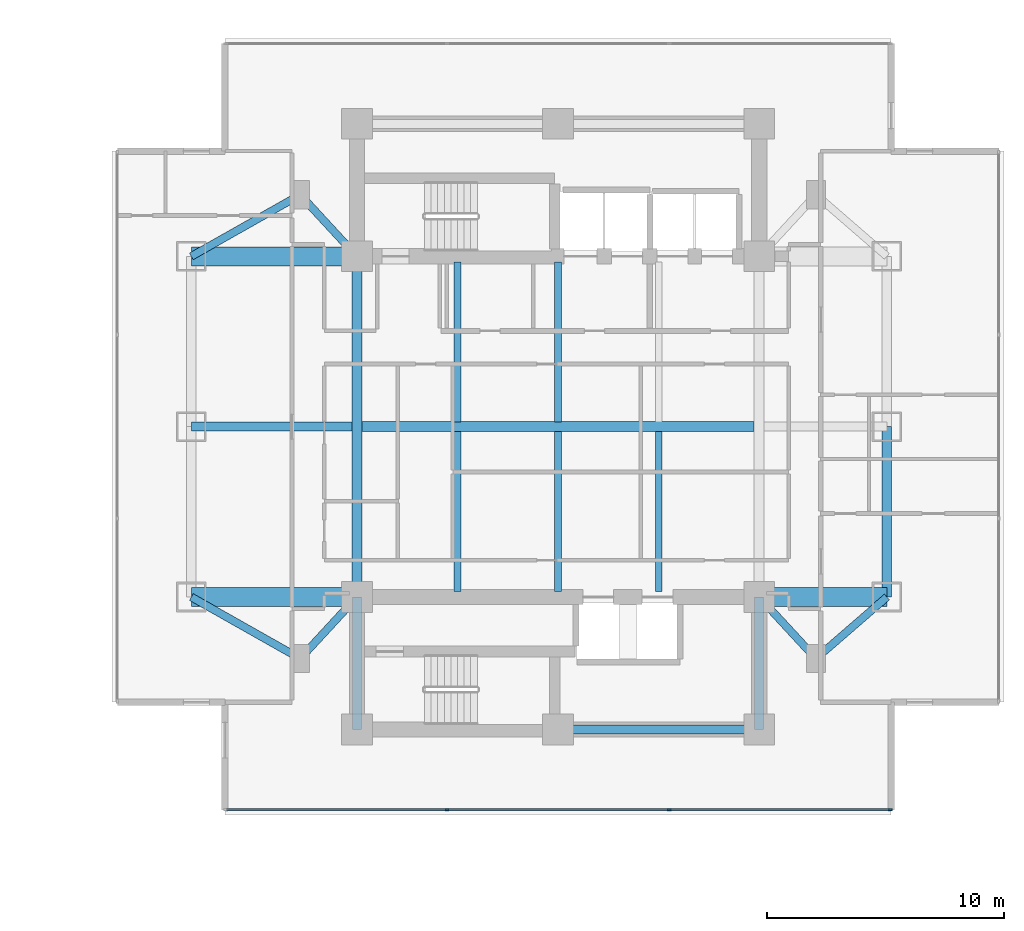
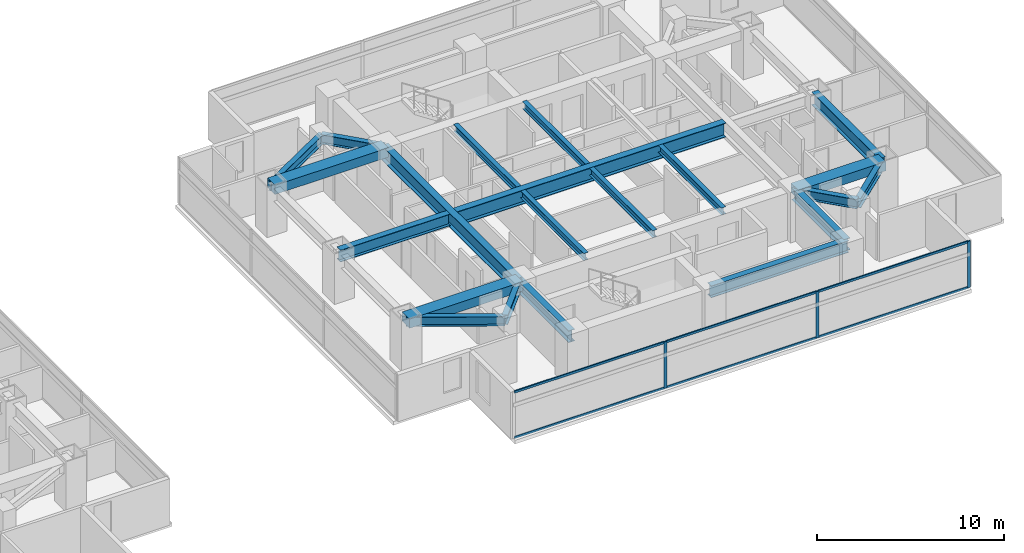
# One storey, part 9 of 24: 21 beams, 9 members, 1 element without a shape of its own.
"""IFC4 building model written with IfcOpenShell, lengths in metres."""

from ifc_helpers import new_model, si_unit, direction, frame, origin, origin_2d, place, context, subcontext, project, spatial, rectangle, i_section, extrude, material, material_profile, profile_set, type_object, element, aggregate, save


model = new_model("IFC4")

# Units and contexts
model_context = context("Model", 3, precision=1e-05, world=origin(), true_north=direction((0.0, 1.0)))
body_context = subcontext(model_context, "Body", "Model", "MODEL_VIEW")
ifc_project = project(units=[si_unit("LENGTHUNIT", "METRE"), si_unit("AREAUNIT", "SQUARE_METRE"), si_unit("VOLUMEUNIT", "CUBIC_METRE"), si_unit("PLANEANGLEUNIT", "RADIAN"), si_unit("MASSUNIT", "GRAM", prefix="KILO")], contexts=[model_context])

# Site, building, storey
site_placement = place(None, origin())
site = spatial("IfcSite", under=ifc_project, at=site_placement, CompositionType="ELEMENT")
building_placement = place(site_placement, origin())
building = spatial("IfcBuilding", under=site, at=building_placement, Name="Mirazonda Arch Towers", CompositionType="ELEMENT")
storey_placement = place(building_placement, frame((0.0, 0.0, 68.60009765625)))
storey = spatial("IfcBuildingStorey", under=building, at=storey_placement, Name="L19", CompositionType="ELEMENT", Elevation=68.60009765625)

# Beams
ifc_material_1 = material(Name="Steel ASTM A992 Grade 50", Category="steel")
ifc_material_profile_1 = material_profile(ifc_material_1, i_section(OverallWidth=0.39990234375, OverallDepth=0.85595703125, WebThickness=0.018310546875, FlangeThickness=0.029296875, at=origin_2d()), Name="W33X201")
ifc_profile_set_1 = profile_set([ifc_material_profile_1], Name="Steel ASTM A992 Grade 50")
beam_type_1 = type_object("IfcBeamType", Name="BM-EXT-W33X201", PredefinedType="USERDEFINED", material=ifc_profile_set_1)
beam_1_placement = place(storey_placement, frame((90.39990234375, 20.800048828125, 2.6318359375), z_axis=(0.0, 1.0, 0.0), x_axis=(-1.0, 0.0, 0.0)))
element("IfcBeam", 1, at=beam_1_placement, inside=storey, type_object=beam_type_1, Name="L19 Floor Beam BM-T2-L19-NS-E-20", ObjectType="GIRDER", PredefinedType="USERDEFINED", context=body_context, shape_type="SweptSolid", body=[
    extrude(i_section(OverallWidth=0.39990234375, OverallDepth=0.85595703125, WebThickness=0.018310546875, FlangeThickness=0.029296875, at=origin_2d()), origin(), (0.0, 0.0, 1.0), 7.199951171875),
])
ifc_material_profile_2 = material_profile(ifc_material_1, i_section(OverallWidth=0.280029296875, OverallDepth=0.462890625, WebThickness=0.0107421875, FlangeThickness=0.017333984375, at=origin_2d()), Name="W18X76")
ifc_profile_set_2 = profile_set([ifc_material_profile_2], Name="Steel ASTM A992 Grade 50")
beam_type_2 = type_object("IfcBeamType", Name="BM-INT-W18X76", PredefinedType="JOIST", material=ifc_profile_set_2)
for number, where, z_axis, x_axis, name in (
    (2, (72.25, 21.0400390625, 2.828369140625), (0.0, 1.0, 0.0), (-1.0, 0.0, 0.0), "L19 Floor Beam BM-T2-L19-J-722-20"),
    (3, (72.25, 28.205078125, 2.828369140625), (0.0, 1.0, 0.0), (-1.0, 0.0, 0.0), "L19 Floor Beam BM-T2-L19-J-722-28"),
    (4, (76.5, 21.0400390625, 2.828369140625), (0.0, 1.0, 0.0), (-1.0, 0.0, 0.0), "L19 Floor Beam BM-T2-L19-J-765-20"),
    (5, (76.5, 28.205078125, 2.828369140625), (0.0, 1.0, 0.0), (-1.0, 0.0, 0.0), "L19 Floor Beam BM-T2-L19-J-765-28"),
    (6, (80.75, 21.0400390625, 2.828369140625), (0.0, 1.0, 0.0), (-1.0, 0.0, 0.0), "L19 Floor Beam BM-T2-L19-J-807-20"),
):
    element("IfcBeam", number, at=place(storey_placement, frame(where, z_axis=z_axis, x_axis=x_axis)), inside=storey, type_object=beam_type_2, Name=name, PredefinedType="JOIST", context=body_context, shape_type="SweptSolid", body=[
        extrude(i_section(OverallWidth=0.280029296875, OverallDepth=0.462890625, WebThickness=0.0107421875, FlangeThickness=0.017333984375, at=origin_2d()), origin(), (0.0, 0.0, 1.0), 6.7548828125),
    ])
ifc_material_profile_3 = material_profile(ifc_material_1, i_section(OverallWidth=0.324951171875, OverallDepth=0.615966796875, WebThickness=0.013916015625, FlangeThickness=0.021484375, at=origin_2d()), Name="W24X117")
ifc_profile_set_3 = profile_set([ifc_material_profile_3], Name="Steel ASTM A992 Grade 50")
beam_type_3 = type_object("IfcBeamType", Name="BM-INT-W24X117", PredefinedType="BEAM", material=ifc_profile_set_3)
beam_2_placement = place(storey_placement, frame((65.60009765625, 18.199951171875, 2.751953125), z_axis=(0.678251444854, 0.734829897019, 0.0), x_axis=(-0.734829897019, 0.678251444854, 0.0)))
element("IfcBeam", 7, at=beam_2_placement, inside=storey, type_object=beam_type_3, Name="L19 Floor Beam BM-T2-L19-PL-SW1", PredefinedType="BEAM", context=body_context, shape_type="SweptSolid", body=[
    extrude(i_section(OverallWidth=0.324951171875, OverallDepth=0.615966796875, WebThickness=0.013916015625, FlangeThickness=0.021484375, at=origin_2d()), origin(), (0.0, 0.0, 1.0), 3.538330078125),
])
beam_3_placement = place(storey_placement, frame((65.60009765625, 18.199951171875, 2.751953125), z_axis=(-0.870559396632, 0.492063346467, 0.0), x_axis=(-0.492063346467, -0.870559396632, 0.0)))
element("IfcBeam", 8, at=beam_3_placement, inside=storey, type_object=beam_type_3, Name="L19 Floor Beam BM-T2-L19-PL-SW2", PredefinedType="BEAM", context=body_context, shape_type="SweptSolid", body=[
    extrude(i_section(OverallWidth=0.324951171875, OverallDepth=0.615966796875, WebThickness=0.013916015625, FlangeThickness=0.021484375, at=origin_2d()), origin(), (0.0, 0.0, 1.0), 5.2841796875),
])
beam_4_placement = place(storey_placement, frame((87.39990234375, 18.199951171875, 2.751953125), z_axis=(-0.678251444854, 0.734829897019, 0.0), x_axis=(-0.734829897019, -0.678251444854, 0.0)))
element("IfcBeam", 9, at=beam_4_placement, inside=storey, type_object=beam_type_3, Name="L19 Floor Beam BM-T2-L19-PL-SE1", PredefinedType="BEAM", context=body_context, shape_type="SweptSolid", body=[
    extrude(i_section(OverallWidth=0.324951171875, OverallDepth=0.615966796875, WebThickness=0.013916015625, FlangeThickness=0.021484375, at=origin_2d()), origin(), (0.0, 0.0, 1.0), 3.538330078125),
])
beam_5_placement = place(storey_placement, frame((87.39990234375, 18.199951171875, 2.751953125), z_axis=(0.755676908098, 0.654944585876, 0.0), x_axis=(-0.654944585876, 0.755676908098, 0.0)))
element("IfcBeam", 10, at=beam_5_placement, inside=storey, type_object=beam_type_3, Name="L19 Floor Beam BM-T2-L19-PL-SE2", PredefinedType="BEAM", context=body_context, shape_type="SweptSolid", body=[
    extrude(i_section(OverallWidth=0.324951171875, OverallDepth=0.615966796875, WebThickness=0.013916015625, FlangeThickness=0.021484375, at=origin_2d()), origin(), (0.0, 0.0, 1.0), 3.969970703125),
])
beam_6_placement = place(storey_placement, frame((65.60009765625, 37.800048828125, 2.751953125), z_axis=(0.678251444854, -0.734829897019, 0.0), x_axis=(0.734829897019, 0.678251444854, 0.0)))
element("IfcBeam", 11, at=beam_6_placement, inside=storey, type_object=beam_type_3, Name="L19 Floor Beam BM-T2-L19-PL-NW1", PredefinedType="BEAM", context=body_context, shape_type="SweptSolid", body=[
    extrude(i_section(OverallWidth=0.324951171875, OverallDepth=0.615966796875, WebThickness=0.013916015625, FlangeThickness=0.021484375, at=origin_2d()), origin(), (0.0, 0.0, 1.0), 3.538330078125),
])
beam_7_placement = place(storey_placement, frame((65.60009765625, 37.800048828125, 2.751953125), z_axis=(-0.870559396632, -0.492063346467, 0.0), x_axis=(0.492063346467, -0.870559396632, 0.0)))
element("IfcBeam", 12, at=beam_7_placement, inside=storey, type_object=beam_type_3, Name="L19 Floor Beam BM-T2-L19-PL-NW2", PredefinedType="BEAM", context=body_context, shape_type="SweptSolid", body=[
    extrude(i_section(OverallWidth=0.324951171875, OverallDepth=0.615966796875, WebThickness=0.013916015625, FlangeThickness=0.021484375, at=origin_2d()), origin(), (0.0, 0.0, 1.0), 5.2841796875),
])
ifc_material_profile_4 = material_profile(ifc_material_1, i_section(OverallWidth=0.381103515625, OverallDepth=0.77294921875, WebThickness=0.0166015625, FlangeThickness=0.027099609375, at=origin_2d()), Name="W30X173")
ifc_profile_set_4 = profile_set([ifc_material_profile_4], Name="Steel ASTM A992 Grade 50")
beam_type_4 = type_object("IfcBeamType", Name="BM-INT-W30X173", PredefinedType="USERDEFINED", material=ifc_profile_set_4)
beam_8_placement = place(storey_placement, frame((76.5, 15.199951171875, 2.67333984375), z_axis=(1.0, 0.0, 0.0), x_axis=(0.0, 1.0, 0.0)))
element("IfcBeam", 13, at=beam_8_placement, inside=storey, type_object=beam_type_4, Name="L19 Floor Beam BM-T2-L19-CS2", ObjectType="GIRDER", PredefinedType="USERDEFINED", context=body_context, shape_type="SweptSolid", body=[
    extrude(i_section(OverallWidth=0.381103515625, OverallDepth=0.77294921875, WebThickness=0.0166015625, FlangeThickness=0.027099609375, at=origin_2d()), origin(), (0.0, 0.0, 1.0), 8.5),
])
for number, where, z_axis, x_axis, name in (
    (14, (68.0, 15.199951171875, 2.67333984375), (0.0, 1.0, 0.0), (-1.0, 0.0, 0.0), "L19 Floor Beam BM-T2-L19-CSW"),
    (15, (85.0, 15.199951171875, 2.67333984375), (0.0, 1.0, 0.0), (-1.0, 0.0, 0.0), "L19 Floor Beam BM-T2-L19-CSE"),
):
    element("IfcBeam", number, at=place(storey_placement, frame(where, z_axis=z_axis, x_axis=x_axis)), inside=storey, type_object=beam_type_4, Name=name, ObjectType="GIRDER", PredefinedType="USERDEFINED", context=body_context, shape_type="SweptSolid", body=[
        extrude(i_section(OverallWidth=0.381103515625, OverallDepth=0.77294921875, WebThickness=0.0166015625, FlangeThickness=0.027099609375, at=origin_2d()), origin(), (0.0, 0.0, 1.0), 5.60009765625),
    ])
beam_9_placement = place(storey_placement, frame((61.0, 28.0, 2.67333984375), z_axis=(1.0, 0.0, 0.0), x_axis=(0.0, 1.0, 0.0)))
element("IfcBeam", 16, at=beam_9_placement, inside=storey, type_object=beam_type_4, Name="L19 Floor Beam BM-T2-L19-GW2", ObjectType="GIRDER", PredefinedType="USERDEFINED", context=body_context, shape_type="SweptSolid", body=[
    extrude(i_section(OverallWidth=0.381103515625, OverallDepth=0.77294921875, WebThickness=0.0166015625, FlangeThickness=0.027099609375, at=origin_2d()), origin(), (0.0, 0.0, 1.0), 6.791015625),
])
ifc_material_profile_5 = material_profile(ifc_material_1, i_section(OverallWidth=0.41796875, OverallDepth=0.927001953125, WebThickness=0.019287109375, FlangeThickness=0.031982421875, at=origin_2d()), Name="W36X231")
ifc_profile_set_5 = profile_set([ifc_material_profile_5], Name="Steel ASTM A992 Grade 50")
beam_type_5 = type_object("IfcBeamType", Name="BM-INT-W36X231", PredefinedType="USERDEFINED", material=ifc_profile_set_5)
beam_10_placement = place(storey_placement, frame((68.208984375, 28.0, 2.596435546875), z_axis=(1.0, 0.0, 0.0), x_axis=(0.0, 1.0, 0.0)))
element("IfcBeam", 17, at=beam_10_placement, inside=storey, type_object=beam_type_5, Name="L19 Floor Beam BM-T2-L19-GC2", ObjectType="GIRDER", PredefinedType="USERDEFINED", context=body_context, shape_type="SweptSolid", body=[
    extrude(i_section(OverallWidth=0.41796875, OverallDepth=0.927001953125, WebThickness=0.019287109375, FlangeThickness=0.031982421875, at=origin_2d()), origin(), (0.0, 0.0, 1.0), 16.58203125),
])
beam_11_placement = place(storey_placement, frame((68.0, 20.800048828125, 2.596435546875), z_axis=(0.0, 1.0, 0.0), x_axis=(-1.0, 0.0, 0.0)))
element("IfcBeam", 18, at=beam_11_placement, inside=storey, type_object=beam_type_5, Name="L19 Floor Beam BM-T2-L19-NS-CW-FULL", ObjectType="GIRDER", PredefinedType="USERDEFINED", context=body_context, shape_type="SweptSolid", body=[
    extrude(i_section(OverallWidth=0.41796875, OverallDepth=0.927001953125, WebThickness=0.019287109375, FlangeThickness=0.031982421875, at=origin_2d()), origin(), (0.0, 0.0, 1.0), 14.39990234375),
])
ifc_material_2 = material(Name="Concrete C60/75", Category="concrete")
ifc_material_profile_6 = material_profile(ifc_material_2, rectangle(XDim=0.800048828125, YDim=0.60009765625, at=origin_2d()), Name="RCCB800x600")
ifc_profile_set_6 = profile_set([ifc_material_profile_6], Name="Concrete C60/75")
beam_type_6 = type_object("IfcBeamType", Name="CB-INT-RCCB800x600", PredefinedType="SPANDREL", material=ifc_profile_set_6)
for number, where, z_axis, x_axis, name in (
    (19, (61.0, 35.199951171875, 2.760009765625), (1.0, 0.0, 0.0), (0.0, 1.0, 0.0), "L19 Floor Beam CBC-T2-L19-NW"),
    (20, (61.0, 20.800048828125, 2.760009765625), (1.0, 0.0, 0.0), (0.0, 1.0, 0.0), "L19 Floor Beam CBC-T2-L19-SW"),
):
    element("IfcBeam", number, at=place(storey_placement, frame(where, z_axis=z_axis, x_axis=x_axis)), inside=storey, type_object=beam_type_6, Name=name, PredefinedType="SPANDREL", context=body_context, shape_type="SweptSolid", body=[
        extrude(rectangle(XDim=0.800048828125, YDim=0.60009765625, at=origin_2d()), origin(), (0.0, 0.0, 1.0), 7.0),
    ])
beam_12_placement = place(storey_placement, frame((85.0, 20.800048828125, 2.760009765625), z_axis=(1.0, 0.0, 0.0), x_axis=(0.0, 1.0, 0.0)))
element("IfcBeam", 21, at=beam_12_placement, inside=storey, type_object=beam_type_6, Name="L19 Floor Beam CBC-T2-L19-SE", PredefinedType="SPANDREL", context=body_context, shape_type="SweptSolid", body=[
    extrude(rectangle(XDim=0.800048828125, YDim=0.60009765625, at=origin_2d()), origin(), (0.0, 0.0, 1.0), 5.39990234375),
])

# Curtain wall, members
ifc_material_3 = material(Name="Anodised Aluminium and Low-E Glass", Category="aluminium")
curtain_wall_type = type_object("IfcCurtainWallType", Name="CW-HTL-UNIT", PredefinedType="NOTDEFINED", material=ifc_material_3)
curtain_wall_placement = place(storey_placement, origin())
curtain_wall = element("IfcCurtainWall", 22, at=curtain_wall_placement, inside=storey, type_object=curtain_wall_type, Name="L19 T2 S Facade CW-L19-T2-S", PredefinedType="NOTDEFINED")
ifc_material_4 = material(Name="Anodised Aluminium Alloy", Category="aluminium")
ifc_material_profile_7 = material_profile(ifc_material_4, rectangle(XDim=0.074951171875, YDim=0.1650390625, at=origin_2d()), Name="ALU-MULL-75x165")
ifc_profile_set_7 = profile_set([ifc_material_profile_7], Name="Anodised Aluminium Alloy")
member_type_1 = type_object("IfcMemberType", Name="MULL-CW-HTL-UNIT", PredefinedType="MULLION", material=ifc_profile_set_7)
member_1_placement = place(storey_placement, frame((90.54638671875, 11.8076171875, 0.0), z_axis=(0.0, 0.0, 1.0), x_axis=(0.0, -1.0, 0.0)))
member_1 = element("IfcMember", 23, at=member_1_placement, type_object=member_type_1, Name="CW-112 mullion 1", PredefinedType="MULLION", context=body_context, shape_type="SweptSolid", body=[
    extrude(rectangle(XDim=0.074951171875, YDim=0.1650390625, at=origin_2d()), origin(), (0.0, 0.0, 1.0), 3.039794921875),
])
member_2_placement = place(storey_placement, frame((81.194580078125, 11.8076171875, 0.0), z_axis=(0.0, 0.0, 1.0), x_axis=(0.0, -1.0, 0.0)))
member_2 = element("IfcMember", 24, at=member_2_placement, type_object=member_type_1, Name="CW-112 mullion 2", PredefinedType="MULLION", context=body_context, shape_type="SweptSolid", body=[
    extrude(rectangle(XDim=0.074951171875, YDim=0.1650390625, at=origin_2d()), origin(), (0.0, 0.0, 1.0), 3.039794921875),
])
member_3_placement = place(storey_placement, frame((71.805419921875, 11.8076171875, 0.0), z_axis=(0.0, 0.0, 1.0), x_axis=(0.0, -1.0, 0.0)))
member_3 = element("IfcMember", 25, at=member_3_placement, type_object=member_type_1, Name="CW-112 mullion 3", PredefinedType="MULLION", context=body_context, shape_type="SweptSolid", body=[
    extrude(rectangle(XDim=0.074951171875, YDim=0.1650390625, at=origin_2d()), origin(), (0.0, 0.0, 1.0), 3.039794921875),
])
ifc_material_profile_8 = material_profile(ifc_material_4, rectangle(XDim=0.074951171875, YDim=0.14501953125, at=origin_2d()), Name="ALU-TRAN-75x145")
ifc_profile_set_8 = profile_set([ifc_material_profile_8], Name="Anodised Aluminium Alloy")
member_type_2 = type_object("IfcMemberType", Name="TRAN-CW-HTL-UNIT", PredefinedType="USERDEFINED", material=ifc_profile_set_8)
member_4_placement = place(storey_placement, frame((90.509033203125, 11.8076171875, 0.037353515625), z_axis=(-1.0, 0.0, 0.0), x_axis=(0.0, -1.0, 0.0)))
member_4 = element("IfcMember", 26, at=member_4_placement, type_object=member_type_2, Name="CW-112 transom 1.1", ObjectType="TRANSOM", PredefinedType="USERDEFINED", context=body_context, shape_type="SweptSolid", body=[
    extrude(rectangle(XDim=0.074951171875, YDim=0.14501953125, at=origin_2d()), origin(), (0.0, 0.0, 1.0), 9.27685546875),
])
member_5_placement = place(storey_placement, frame((90.509033203125, 11.8076171875, 3.00244140625), z_axis=(-1.0, 0.0, 0.0), x_axis=(0.0, -1.0, 0.0)))
member_5 = element("IfcMember", 27, at=member_5_placement, type_object=member_type_2, Name="CW-112 transom 1.2", ObjectType="TRANSOM", PredefinedType="USERDEFINED", context=body_context, shape_type="SweptSolid", body=[
    extrude(rectangle(XDim=0.074951171875, YDim=0.14501953125, at=origin_2d()), origin(), (0.0, 0.0, 1.0), 9.27685546875),
])
member_6_placement = place(storey_placement, frame((81.1572265625, 11.8076171875, 0.037353515625), z_axis=(-1.0, 0.0, 0.0), x_axis=(0.0, -1.0, 0.0)))
member_6 = element("IfcMember", 28, at=member_6_placement, type_object=member_type_2, Name="CW-112 transom 2.1", ObjectType="TRANSOM", PredefinedType="USERDEFINED", context=body_context, shape_type="SweptSolid", body=[
    extrude(rectangle(XDim=0.074951171875, YDim=0.14501953125, at=origin_2d()), origin(), (0.0, 0.0, 1.0), 9.314453125),
])
member_7_placement = place(storey_placement, frame((81.1572265625, 11.8076171875, 3.00244140625), z_axis=(-1.0, 0.0, 0.0), x_axis=(0.0, -1.0, 0.0)))
member_7 = element("IfcMember", 29, at=member_7_placement, type_object=member_type_2, Name="CW-112 transom 2.2", ObjectType="TRANSOM", PredefinedType="USERDEFINED", context=body_context, shape_type="SweptSolid", body=[
    extrude(rectangle(XDim=0.074951171875, YDim=0.14501953125, at=origin_2d()), origin(), (0.0, 0.0, 1.0), 9.314453125),
])
member_8_placement = place(storey_placement, frame((71.767822265625, 11.8076171875, 0.037353515625), z_axis=(-1.0, 0.0, 0.0), x_axis=(0.0, -1.0, 0.0)))
member_8 = element("IfcMember", 30, at=member_8_placement, type_object=member_type_2, Name="CW-112 transom 3.1", ObjectType="TRANSOM", PredefinedType="USERDEFINED", context=body_context, shape_type="SweptSolid", body=[
    extrude(rectangle(XDim=0.074951171875, YDim=0.14501953125, at=origin_2d()), origin(), (0.0, 0.0, 1.0), 9.27685546875),
])
member_9_placement = place(storey_placement, frame((71.767822265625, 11.8076171875, 3.00244140625), z_axis=(-1.0, 0.0, 0.0), x_axis=(0.0, -1.0, 0.0)))
member_9 = element("IfcMember", 31, at=member_9_placement, type_object=member_type_2, Name="CW-112 transom 3.2", ObjectType="TRANSOM", PredefinedType="USERDEFINED", context=body_context, shape_type="SweptSolid", body=[
    extrude(rectangle(XDim=0.074951171875, YDim=0.14501953125, at=origin_2d()), origin(), (0.0, 0.0, 1.0), 9.27685546875),
])
aggregate(curtain_wall, [member_1, member_2, member_3, member_4, member_5, member_6, member_7, member_8, member_9])

save(model, "model.ifc")
